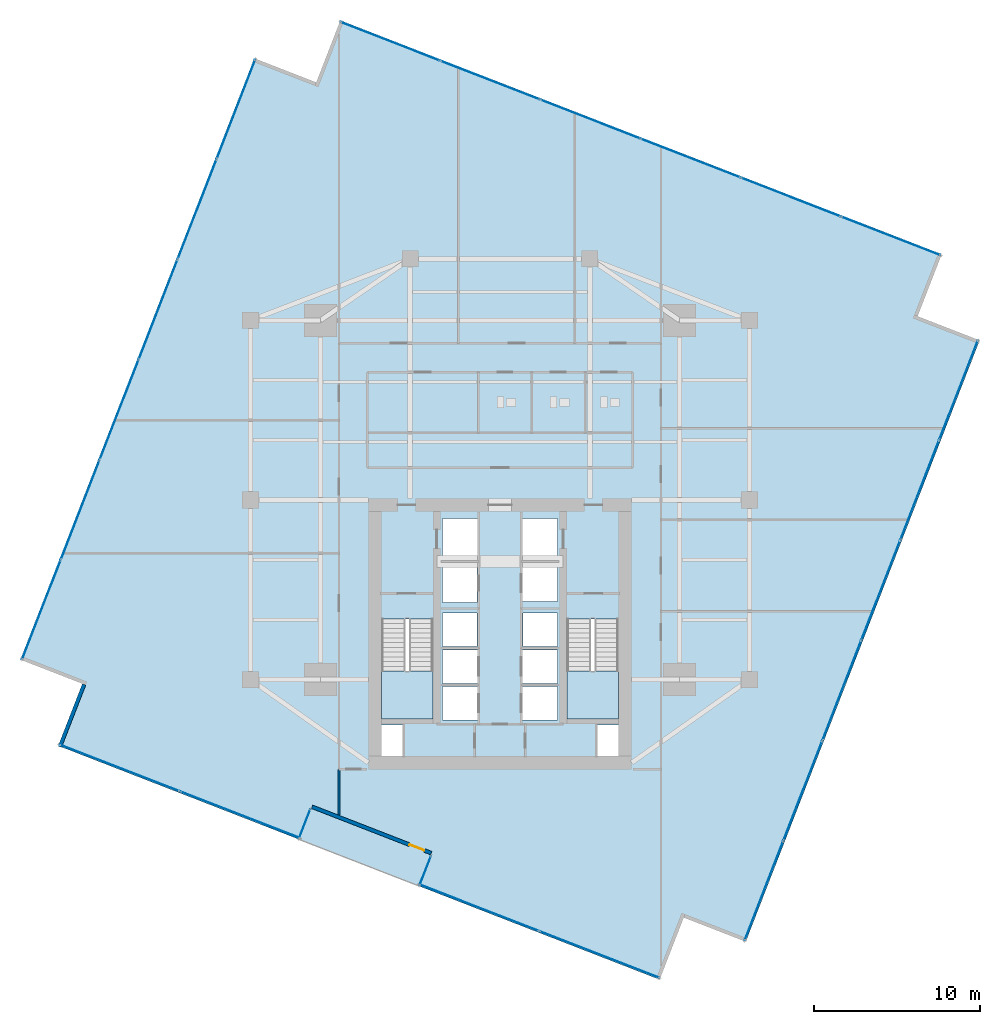
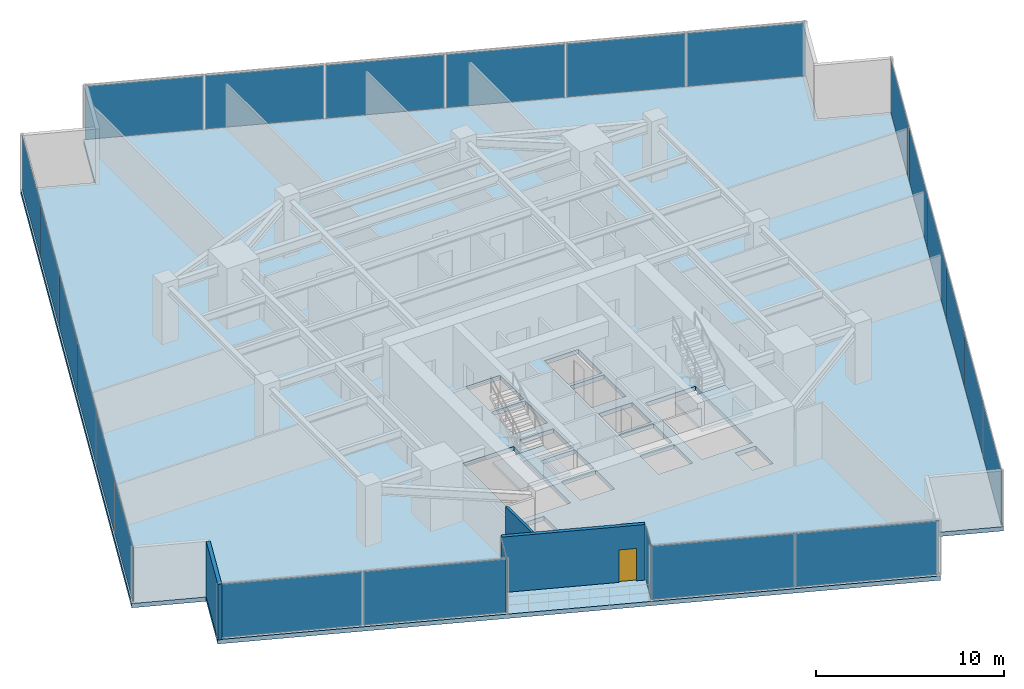
# One storey, part 21 of 26: 24 plates, 3 slabs, 3 walls, 1 door, 1 opening, 9 elements without a shape of their own.
"""IFC4 building model written with IfcOpenShell, lengths in metres."""

import ifcopenshell
import ifcopenshell.guid

model = None  # the IFC model being written
_history = None  # IfcOwnerHistory: only IFC2X3 demands one
_inside = {}  # id of a spatial element -> (the spatial element, [elements in it])
_under = {}  # id of a project, library or spatial element -> (it, [spatial elements below it])
_declared = {}  # id of a project -> (the project, [libraries it declares])
_typed = {}  # id of a type object -> (the type object, [elements of that type])
_made_of = {}  # id of a material, layer set ... -> (it, [elements and type objects made of it])


def new_model(schema):
    """Start an empty IFC model of exactly this schema.

    Asked for "IFC4X3", IfcOpenShell would pick the latest addendum, in which some entities
    have other attributes; the version numbers below select the first issue.
    IFC2X3 requires an IfcOwnerHistory on every rooted entity: one is made here for all.
    """
    global model, _history
    if schema == "IFC4X3":
        model = ifcopenshell.file(schema_version=(4, 3, 0, 0))
    else:
        model = ifcopenshell.file(schema=schema)
    _inside.clear()
    _under.clear()
    _declared.clear()
    _typed.clear()
    _made_of.clear()
    _history = None
    if model.schema == "IFC2X3":
        org = make("IfcOrganization", Name="unknown")
        user = make(
            "IfcPersonAndOrganization",
            ThePerson=make("IfcPerson", FamilyName="unknown"),
            TheOrganization=org,
        )
        app = make(
            "IfcApplication",
            ApplicationDeveloper=org,
            Version="unknown",
            ApplicationFullName="unknown",
            ApplicationIdentifier="unknown",
        )
        _history = make(
            "IfcOwnerHistory",
            OwningUser=user,
            OwningApplication=app,
            ChangeAction="ADDED",
            CreationDate=0,
        )
    return model


def make(cls, **values):
    """One entity of the class cls with the attributes given. An attribute that is None is left unset."""
    return model.create_entity(
        cls, **{name: value for name, value in values.items() if value is not None}
    )


def rooted(cls, **values):
    """An entity with a GlobalId (a new one), such as an element, a storey or a relation."""
    return make(cls, GlobalId=ifcopenshell.guid.new(), OwnerHistory=_history, **values)


def si_unit(unit_type, name, prefix=None):
    """IfcSIUnit, for example si_unit("LENGTHUNIT", "METRE", prefix="MILLI")."""
    return make("IfcSIUnit", UnitType=unit_type, Prefix=prefix, Name=name)


def assignment(units):
    """IfcUnitAssignment: the units of a project."""
    return None if units is None else make("IfcUnitAssignment", Units=units)


def point(xyz):
    """IfcCartesianPoint."""
    return None if xyz is None else make("IfcCartesianPoint", Coordinates=xyz)


def direction(xyz):
    """IfcDirection."""
    return None if xyz is None else make("IfcDirection", DirectionRatios=xyz)


def frame(location, z_axis=None, x_axis=None):
    """IfcAxis2Placement3D, a coordinate frame: its origin and axes. An axis left out is left unset."""
    return make(
        "IfcAxis2Placement3D",
        Location=point(location),
        Axis=direction(z_axis),
        RefDirection=direction(x_axis),
    )


def frame_2d(location, x_axis=None):
    """IfcAxis2Placement2D, a coordinate frame in the plane: its origin and x axis."""
    return make(
        "IfcAxis2Placement2D", Location=point(location), RefDirection=direction(x_axis)
    )


def origin():
    """The frame at (0, 0, 0) with its axes left unset."""
    return frame((0.0, 0.0, 0.0))


def origin_2d():
    """The frame at (0, 0) in the plane with its x axis left unset."""
    return frame_2d((0.0, 0.0))


def place(relative_to, where):
    """IfcLocalPlacement: puts the frame where relative to a parent placement (None: the world)."""
    return make(
        "IfcLocalPlacement", PlacementRelTo=relative_to, RelativePlacement=where
    )


def context(
    kind, dimensions, precision=None, world=None, true_north=None, identifier=None
):
    """IfcGeometricRepresentationContext, for example the 3D "Model" context."""
    return make(
        "IfcGeometricRepresentationContext",
        ContextIdentifier=identifier,
        ContextType=kind,
        CoordinateSpaceDimension=dimensions,
        Precision=precision,
        WorldCoordinateSystem=world,
        TrueNorth=true_north,
    )


def subcontext(parent, identifier, kind, view, scale=None):
    """IfcGeometricRepresentationSubContext, for example "Body" below "Model"."""
    return make(
        "IfcGeometricRepresentationSubContext",
        ContextIdentifier=identifier,
        ContextType=kind,
        ParentContext=parent,
        TargetScale=scale,
        TargetView=view,
    )


def project(units=None, contexts=None):
    """IfcProject with its units and contexts."""
    return rooted(
        "IfcProject",
        Name="project",
        RepresentationContexts=contexts,
        UnitsInContext=assignment(units),
    )


def spatial(cls, under=None, at=None, **own):
    """A site, building, storey or space (cls), placed at a placement, below another one or the project."""
    s = rooted(cls, ObjectPlacement=at, **own)
    if under is not None:
        _under.setdefault(under.id(), (under, []))[1].append(s)
    return s


def polyline(points):
    """IfcPolyline through the points."""
    return make("IfcPolyline", Points=[point(p) for p in points])


def profile(cls, at=None, kind="AREA", **sizes):
    """A parametric profile (cls). Its sizes go by their IFC names, for example OverallWidth=200.0."""
    return make(cls, ProfileType=kind, Position=at, **sizes)


def rectangle(**sizes):
    """IfcRectangleProfileDef."""
    return profile("IfcRectangleProfileDef", **sizes)


def outline(outer, holes=None, kind="AREA"):
    """IfcArbitraryClosedProfileDef: a profile drawn as a closed curve; with holes, ...WithVoids."""
    if holes is None:
        return make("IfcArbitraryClosedProfileDef", ProfileType=kind, OuterCurve=outer)
    return make(
        "IfcArbitraryProfileDefWithVoids",
        ProfileType=kind,
        OuterCurve=outer,
        InnerCurves=holes,
    )


def extrude(swept, where, along, depth):
    """IfcExtrudedAreaSolid: the profile swept, set in the frame where, extruded along a direction by depth."""
    return make(
        "IfcExtrudedAreaSolid",
        SweptArea=swept,
        Position=where,
        ExtrudedDirection=direction(along),
        Depth=depth,
    )


def shape(context_of_items, identifier, shape_type, items):
    """IfcShapeRepresentation: the items that make up one representation, for example the "Body"."""
    return make(
        "IfcShapeRepresentation",
        ContextOfItems=context_of_items,
        RepresentationIdentifier=identifier,
        RepresentationType=shape_type,
        Items=items,
    )


def source(mapping_origin, context_of_items, identifier, shape_type, items):
    """IfcRepresentationMap: a shape defined once, which mapped items show again and again."""
    return make(
        "IfcRepresentationMap",
        MappingOrigin=mapping_origin,
        MappedRepresentation=shape(context_of_items, identifier, shape_type, items),
    )


def transform(
    local_origin,
    x_axis=None,
    y_axis=None,
    z_axis=None,
    scale=None,
    scale2=None,
    scale3=None,
    uniform=True,
):
    """IfcCartesianTransformationOperator3D, or its non-uniform kind. x_axis, y_axis, z_axis: its Axis1, 2, 3."""
    if uniform:
        return make(
            "IfcCartesianTransformationOperator3D",
            Axis1=direction(x_axis),
            Axis2=direction(y_axis),
            LocalOrigin=point(local_origin),
            Scale=scale,
            Axis3=direction(z_axis),
        )
    return make(
        "IfcCartesianTransformationOperator3DnonUniform",
        Axis1=direction(x_axis),
        Axis2=direction(y_axis),
        LocalOrigin=point(local_origin),
        Scale=scale,
        Axis3=direction(z_axis),
        Scale2=scale2,
        Scale3=scale3,
    )


def mapped(mapping_source, mapping_target):
    """IfcMappedItem: shows the shape of a source again, moved by a transform."""
    return make(
        "IfcMappedItem", MappingSource=mapping_source, MappingTarget=mapping_target
    )


def material(Name=None, Category=None):
    """IfcMaterial."""
    return make("IfcMaterial", Name=Name, Category=Category)


def layer(
    of_material, thickness, ventilated=None, Name=None, Category=None, Priority=None
):
    """IfcMaterialLayer: one layer of a wall or slab, of a material (None: an air gap)."""
    return make(
        "IfcMaterialLayer",
        Material=of_material,
        LayerThickness=thickness,
        IsVentilated=ventilated,
        Name=Name,
        Category=Category,
        Priority=Priority,
    )


def layer_set(layers, Name=None):
    """IfcMaterialLayerSet."""
    return make("IfcMaterialLayerSet", MaterialLayers=layers, LayerSetName=Name)


def made_of(thing, what):
    """Note that an element or type object is made of a material, layer set ...; save() writes the relation."""
    if what is not None:
        _made_of.setdefault(what.id(), (what, []))[1].append(thing)
    return thing


def type_object(cls, material=None, **own):
    """A type object (cls), such as IfcWallType, which elements share."""
    return made_of(rooted(cls, **own), material)


def type_shapes(of_type, sources):
    """Give a type object the sources (RepresentationMaps) that its elements show as mapped items."""
    of_type.RepresentationMaps = sources


def element(
    cls,
    number,
    at=None,
    inside=None,
    cuts=None,
    type_object=None,
    material=None,
    context=None,
    identifier="Body",
    shape_type=None,
    held_by="IfcProductDefinitionShape",
    body=None,
    shapes=None,
    **own,
):
    """One element of the class cls, such as IfcWall. Its Tag is "e" and its number.

    at: its placement. inside: the storey or other place that contains it. cuts: it is an
    opening in that element (IfcRelVoidsElement). A single representation is given by context,
    identifier, shape_type and body (its items); several are given by shapes. held_by: the class
    of the entity that holds the representations. save() writes the other relations.
    """
    e = rooted(cls, Tag="e%d" % number, ObjectPlacement=at, **own)
    if body is not None:
        shapes = [shape(context, identifier, shape_type, body)]
    if shapes is not None:
        e.Representation = make(held_by, Representations=shapes)
    if inside is not None:
        _inside.setdefault(inside.id(), (inside, []))[1].append(e)
    if cuts is not None:
        rooted(
            "IfcRelVoidsElement", RelatingBuildingElement=cuts, RelatedOpeningElement=e
        )
    if type_object is not None:
        _typed.setdefault(type_object.id(), (type_object, []))[1].append(e)
    return made_of(e, material)


def fill(opening, filler):
    """IfcRelFillsElement: the door or window that sits in an opening."""
    return rooted(
        "IfcRelFillsElement",
        RelatingOpeningElement=opening,
        RelatedBuildingElement=filler,
    )


def aggregate(whole, parts):
    """IfcRelAggregates: a whole, such as a stair, and the parts it consists of."""
    return rooted("IfcRelAggregates", RelatingObject=whole, RelatedObjects=parts)


def save(model, path):
    """Write the relations noted so far, then the file.

    IfcRelAggregates (storeys below a building ...), IfcRelContainedInSpatialStructure (elements
    in a storey), IfcRelDefinesByType, IfcRelAssociatesMaterial and IfcRelDeclares: one each for
    every whole, place, type object, material and project.
    """
    for whole, parts in _under.values():
        aggregate(whole, parts)
    for where, things in _inside.values():
        rooted(
            "IfcRelContainedInSpatialStructure",
            RelatedElements=things,
            RelatingStructure=where,
        )
    for kind, things in _typed.values():
        rooted("IfcRelDefinesByType", RelatedObjects=things, RelatingType=kind)
    for what, things in _made_of.values():
        rooted("IfcRelAssociatesMaterial", RelatedObjects=things, RelatingMaterial=what)
    for by, libraries in _declared.values():
        rooted("IfcRelDeclares", RelatingContext=by, RelatedDefinitions=libraries)
    model.write(path)


model = new_model("IFC4")

# Units and contexts
model_context = context("Model", 3, precision=1e-05, world=origin(), true_north=direction((0.0, 1.0)))
body_context = subcontext(model_context, "Body", "Model", "MODEL_VIEW")
ifc_project = project(units=[si_unit("LENGTHUNIT", "METRE"), si_unit("AREAUNIT", "SQUARE_METRE"), si_unit("VOLUMEUNIT", "CUBIC_METRE"), si_unit("PLANEANGLEUNIT", "RADIAN"), si_unit("MASSUNIT", "GRAM", prefix="KILO")], contexts=[model_context])

# Site, building, storey
site_placement = place(None, origin())
site = spatial("IfcSite", under=ifc_project, at=site_placement, CompositionType="ELEMENT")
building_placement = place(site_placement, origin())
building = spatial("IfcBuilding", under=site, at=building_placement, Name="Krantzveldt Concourse Tower", CompositionType="ELEMENT")
storey_placement = place(building_placement, frame((0.0, 0.0, 137.449951171875)))
storey = spatial("IfcBuildingStorey", under=building, at=storey_placement, Name="L33", CompositionType="ELEMENT", Elevation=137.449951171875)

# Stair, slab
ifc_material_1 = material(Name="Precast concrete C40/50", Category="concrete")
stair_type = type_object("IfcStairType", Name="STR-CORE-DOGLEG", PredefinedType="HALF_TURN_STAIR", material=ifc_material_1)
stair_1_placement = place(storey_placement, origin())
stair_1 = element("IfcStair", 1, at=stair_1_placement, inside=storey, type_object=stair_type, Name="L33 Protected Escape Stair ST-1", PredefinedType="HALF_TURN_STAIR")
ifc_layer_1 = layer(ifc_material_1, 0.199951171875, Name="Precast concrete C40/50", Category="concrete")
ifc_layer_set_1 = layer_set([ifc_layer_1], Name="Precast concrete C40/50 (SL-LANDING-200)")
slab_type_1 = type_object("IfcSlabType", Name="SL-LANDING-200", PredefinedType="LANDING", material=ifc_layer_set_1)
slab_1_placement = place(storey_placement, frame((0.0, 0.0, 1.775146484375)))
slab_1 = element("IfcSlab", 2, at=slab_1_placement, type_object=slab_type_1, Name="ST-1 landing 1", PredefinedType="LANDING", context=body_context, shape_type="SweptSolid", body=[
    extrude(outline(polyline([(28.8798828125, 16.4150390625), (28.8798828125, 13.52001953125), (31.97998046875, 13.52001953125), (31.97998046875, 16.4150390625), (28.8798828125, 16.4150390625)])), origin(), (0.0, 0.0, 1.0), 0.199951171875),
])
aggregate(stair_1, [slab_1])

stair_2_placement = place(storey_placement, origin())
stair_2 = element("IfcStair", 3, at=stair_2_placement, inside=storey, type_object=stair_type, Name="L33 Protected Escape Stair ST-2", PredefinedType="HALF_TURN_STAIR")
slab_2_placement = place(storey_placement, frame((0.0, 0.0, 1.775146484375)))
slab_2 = element("IfcSlab", 4, at=slab_2_placement, type_object=slab_type_1, Name="ST-2 landing 1", PredefinedType="LANDING", context=body_context, shape_type="SweptSolid", body=[
    extrude(outline(polyline([(40.02001953125, 16.4150390625), (40.02001953125, 13.52001953125), (43.1201171875, 13.52001953125), (43.1201171875, 16.4150390625), (40.02001953125, 16.4150390625)])), origin(), (0.0, 0.0, 1.0), 0.199951171875),
])
aggregate(stair_2, [slab_2])

# Slab
ifc_material_2 = material(Name="Concrete C40/50", Category="concrete")
ifc_layer_2 = layer(ifc_material_2, 0.280029296875, Name="Concrete C40/50", Category="concrete")
ifc_layer_set_2 = layer_set([ifc_layer_2], Name="Concrete C40/50 (SL-SL-TER280)")
slab_type_2 = type_object("IfcSlabType", Name="SL-SL-TER280", PredefinedType="FLOOR", material=ifc_layer_set_2)
slab_3_placement = place(storey_placement, frame((0.0, 0.0, -0.280029296875)))
element("IfcSlab", 5, at=slab_3_placement, inside=storey, type_object=slab_type_2, Name="SL-L33-MAIN", PredefinedType="FLOOR", context=body_context, shape_type="SweptSolid", body=[
    extrude(outline(polyline([(24.950439453125, 51.812255859375), (21.222412109375, 53.261962890625), (7.15966796875, 17.10009765625), (10.8876953125, 15.650390625), (9.43798828125, 11.92236328125), (45.599853515625, -2.140380859375), (47.049560546875, 1.587646484375), (50.777587890625, 0.137939453125), (64.84033203125, 36.2998046875), (61.1123046875, 37.749755859375), (62.56201171875, 41.477783203125), (26.400146484375, 55.540283203125), (24.950439453125, 51.812255859375)]), holes=[polyline([(28.8798828125, 19.547607421875), (28.8798828125, 13.52001953125), (31.97998046875, 13.52001953125), (31.97998046875, 19.547607421875), (28.8798828125, 19.547607421875)]), polyline([(40.02001953125, 19.547607421875), (40.02001953125, 13.52001953125), (43.1201171875, 13.52001953125), (43.1201171875, 19.547607421875), (40.02001953125, 19.547607421875)]), polyline([(32.550048828125, 23.10009765625), (34.64990234375, 23.10009765625), (34.64990234375, 25.60009765625), (32.550048828125, 25.60009765625), (32.550048828125, 23.10009765625)]), polyline([(37.35009765625, 23.10009765625), (39.449951171875, 23.10009765625), (39.449951171875, 25.60009765625), (37.35009765625, 25.60009765625), (37.35009765625, 23.10009765625)]), polyline([(37.35009765625, 20.60009765625), (39.449951171875, 20.60009765625), (39.449951171875, 22.89990234375), (37.35009765625, 22.89990234375), (37.35009765625, 20.60009765625)]), polyline([(32.550048828125, 13.47998046875), (34.64990234375, 13.47998046875), (34.64990234375, 15.47998046875), (32.550048828125, 15.47998046875), (32.550048828125, 13.47998046875)]), polyline([(32.550048828125, 15.679931640625), (34.64990234375, 15.679931640625), (34.64990234375, 17.679931640625), (32.550048828125, 17.679931640625), (32.550048828125, 15.679931640625)]), polyline([(37.35009765625, 13.47998046875), (39.449951171875, 13.47998046875), (39.449951171875, 15.47998046875), (37.35009765625, 15.47998046875), (37.35009765625, 13.47998046875)]), polyline([(37.35009765625, 15.679931640625), (39.449951171875, 15.679931640625), (39.449951171875, 17.679931640625), (37.35009765625, 17.679931640625), (37.35009765625, 15.679931640625)]), polyline([(32.550048828125, 20.550048828125), (34.6201171875, 20.550048828125), (34.6201171875, 22.89990234375), (32.550048828125, 22.89990234375), (32.550048828125, 20.550048828125)]), polyline([(32.550048828125, 17.8798828125), (34.6201171875, 17.8798828125), (34.6201171875, 19.919921875), (32.550048828125, 19.919921875), (32.550048828125, 17.8798828125)]), polyline([(37.3798828125, 17.8798828125), (39.449951171875, 17.8798828125), (39.449951171875, 19.919921875), (37.3798828125, 19.919921875), (37.3798828125, 17.8798828125)]), polyline([(28.8798828125, 11.320068359375), (30.139892578125, 11.320068359375), (30.139892578125, 13.159912109375), (28.8798828125, 13.159912109375), (28.8798828125, 11.320068359375)]), polyline([(41.860107421875, 11.320068359375), (43.1201171875, 11.320068359375), (43.1201171875, 13.159912109375), (41.860107421875, 13.159912109375), (41.860107421875, 11.320068359375)])]), origin(), (0.0, 0.0, 1.0), 0.280029296875),
])

# Curtain wall, plates
ifc_material_3 = material(Name="Anodised aluminium 6063-T6", Category="aluminium")
curtain_wall_type_1 = type_object("IfcCurtainWallType", Name="CW2", PredefinedType="USERDEFINED", material=ifc_material_3)
curtain_wall_1_placement = place(storey_placement, origin())
curtain_wall_1 = element("IfcCurtainWall", 6, at=curtain_wall_1_placement, inside=storey, type_object=curtain_wall_type_1, Name="CW-L33-F01", ObjectType="UNITISED CURTAIN WALL", PredefinedType="USERDEFINED")
ifc_material_4 = material(Name="Bronze-tinted laminated low-E IGU glass", Category="glass")
ifc_layer_3 = layer(ifc_material_4, 0.031982421875, Name="Bronze-tinted laminated low-E IGU glass", Category="glass")
ifc_layer_set_3 = layer_set([ifc_layer_3], Name="Bronze-tinted laminated low-E IGU glass (CW-GLZ-32)")
plate_type = type_object("IfcPlateType", Name="CW-GLZ-32", PredefinedType="CURTAIN_PANEL", material=ifc_layer_set_3)
shared_shape_1 = source(origin(), body_context, "Body", "SweptSolid", [
    extrude(rectangle(XDim=6.361572265625, YDim=0.031982421875, at=origin_2d()), origin(), (0.0, 0.0, 1.0), 3.4599609375),
])
plate_1_placement = place(storey_placement, frame((20.1279296875, 50.199462890625, 0.070068359375), z_axis=(0.0, 0.0, 1.0), x_axis=(-0.362437952917, -0.93200790248, 0.0)))
plate_1 = element("IfcPlate", 7, at=plate_1_placement, type_object=plate_type, Name="CW-Z12 panel 1.1", PredefinedType="CURTAIN_PANEL", context=body_context, shape_type="MappedRepresentation", body=[
    mapped(shared_shape_1, transform((0.0, 0.0, 0.0), x_axis=(1.0, 0.0, 0.0), y_axis=(0.0, 1.0, 0.0), z_axis=(0.0, 0.0, 1.0), scale=1.0)),
])
plate_2_placement = place(storey_placement, frame((8.421875, 20.09716796875, 0.070068359375), z_axis=(0.0, 0.0, 1.0), x_axis=(-0.362437952917, -0.93200790248, 0.0)))
plate_2 = element("IfcPlate", 8, at=plate_2_placement, type_object=plate_type, Name="CW-Z12 panel 6.1", PredefinedType="CURTAIN_PANEL", context=body_context, shape_type="MappedRepresentation", body=[
    mapped(shared_shape_1, transform((0.0, 0.0, 0.0), x_axis=(1.0, 0.0, 0.0), y_axis=(0.0, 1.0, 0.0), z_axis=(0.0, 0.0, 1.0), scale=1.0)),
])

curtain_wall_2_placement = place(storey_placement, origin())
curtain_wall_2 = element("IfcCurtainWall", 9, at=curtain_wall_2_placement, inside=storey, type_object=curtain_wall_type_1, Name="CW-L33-F11", ObjectType="UNITISED CURTAIN WALL", PredefinedType="USERDEFINED")
plate_3_placement = place(storey_placement, frame((51.8720703125, 3.200439453125, 0.070068359375), z_axis=(0.0, 0.0, 1.0), x_axis=(0.362437952917, 0.93200790248, 0.0)))
plate_3 = element("IfcPlate", 10, at=plate_3_placement, type_object=plate_type, Name="CW-Z12 panel 1.1", PredefinedType="CURTAIN_PANEL", context=body_context, shape_type="MappedRepresentation", body=[
    mapped(shared_shape_1, transform((0.0, 0.0, 0.0), x_axis=(1.0, 0.0, 0.0), y_axis=(0.0, 1.0, 0.0), z_axis=(0.0, 0.0, 1.0), scale=1.0)),
])
plate_4_placement = place(storey_placement, frame((63.578125, 33.302734375, 0.070068359375), z_axis=(0.0, 0.0, 1.0), x_axis=(0.362437952917, 0.93200790248, 0.0)))
plate_4 = element("IfcPlate", 11, at=plate_4_placement, type_object=plate_type, Name="CW-Z12 panel 6.1", PredefinedType="CURTAIN_PANEL", context=body_context, shape_type="MappedRepresentation", body=[
    mapped(shared_shape_1, transform((0.0, 0.0, 0.0), x_axis=(1.0, 0.0, 0.0), y_axis=(0.0, 1.0, 0.0), z_axis=(0.0, 0.0, 1.0), scale=1.0)),
])

curtain_wall_3_placement = place(storey_placement, origin())
curtain_wall_3 = element("IfcCurtainWall", 12, at=curtain_wall_3_placement, inside=storey, type_object=curtain_wall_type_1, Name="CW-L33-F14", ObjectType="UNITISED CURTAIN WALL", PredefinedType="USERDEFINED")
plate_5_placement = place(storey_placement, frame((59.49951171875, 42.572021484375, 0.070068359375), z_axis=(0.0, 0.0, 1.0), x_axis=(-0.93200790248, 0.362437952917, 0.0)))
plate_5 = element("IfcPlate", 13, at=plate_5_placement, type_object=plate_type, Name="CW-Z12 panel 1.1", PredefinedType="CURTAIN_PANEL", context=body_context, shape_type="MappedRepresentation", body=[
    mapped(shared_shape_1, transform((0.0, 0.0, 0.0), x_axis=(1.0, 0.0, 0.0), y_axis=(0.0, 1.0, 0.0), z_axis=(0.0, 0.0, 1.0), scale=1.0)),
])
plate_6_placement = place(storey_placement, frame((29.397216796875, 54.278076171875, 0.070068359375), z_axis=(0.0, 0.0, 1.0), x_axis=(-0.93200790248, 0.362437952917, 0.0)))
plate_6 = element("IfcPlate", 14, at=plate_6_placement, type_object=plate_type, Name="CW-Z12 panel 6.1", PredefinedType="CURTAIN_PANEL", context=body_context, shape_type="MappedRepresentation", body=[
    mapped(shared_shape_1, transform((0.0, 0.0, 0.0), x_axis=(1.0, 0.0, 0.0), y_axis=(0.0, 1.0, 0.0), z_axis=(0.0, 0.0, 1.0), scale=1.0)),
])

# Plate
shared_shape_2 = source(origin(), body_context, "Body", "SweptSolid", [
    extrude(rectangle(XDim=6.396728515625, YDim=0.031982421875, at=origin_2d()), origin(), (0.0, 0.0, 1.0), 3.4599609375),
])
plate_7_placement = place(storey_placement, frame((17.79052734375, 44.18896484375, 0.070068359375), z_axis=(0.0, 0.0, 1.0), x_axis=(-0.362437952917, -0.93200790248, 0.0)))
plate_7 = element("IfcPlate", 15, at=plate_7_placement, type_object=plate_type, Name="CW-Z12 panel 2.1", PredefinedType="CURTAIN_PANEL", context=body_context, shape_type="MappedRepresentation", body=[
    mapped(shared_shape_2, transform((0.0, 0.0, 0.0), x_axis=(1.0, 0.0, 0.0), y_axis=(0.0, 1.0, 0.0), z_axis=(0.0, 0.0, 1.0), scale=1.0)),
])

plate_8_placement = place(storey_placement, frame((15.44677734375, 38.161865234375, 0.070068359375), z_axis=(0.0, 0.0, 1.0), x_axis=(-0.362437952917, -0.93200790248, 0.0)))
plate_8 = element("IfcPlate", 16, at=plate_8_placement, type_object=plate_type, Name="CW-Z12 panel 3.1", PredefinedType="CURTAIN_PANEL", context=body_context, shape_type="MappedRepresentation", body=[
    mapped(shared_shape_2, transform((0.0, 0.0, 0.0), x_axis=(1.0, 0.0, 0.0), y_axis=(0.0, 1.0, 0.0), z_axis=(0.0, 0.0, 1.0), scale=1.0)),
])

plate_9_placement = place(storey_placement, frame((13.10302734375, 32.135009765625, 0.070068359375), z_axis=(0.0, 0.0, 1.0), x_axis=(-0.362437952917, -0.93200790248, 0.0)))
plate_9 = element("IfcPlate", 17, at=plate_9_placement, type_object=plate_type, Name="CW-Z12 panel 4.1", PredefinedType="CURTAIN_PANEL", context=body_context, shape_type="MappedRepresentation", body=[
    mapped(shared_shape_2, transform((0.0, 0.0, 0.0), x_axis=(1.0, 0.0, 0.0), y_axis=(0.0, 1.0, 0.0), z_axis=(0.0, 0.0, 1.0), scale=1.0)),
])

plate_10_placement = place(storey_placement, frame((10.75927734375, 26.10791015625, 0.070068359375), z_axis=(0.0, 0.0, 1.0), x_axis=(-0.362437952917, -0.93200790248, 0.0)))
plate_10 = element("IfcPlate", 18, at=plate_10_placement, type_object=plate_type, Name="CW-Z12 panel 5.1", PredefinedType="CURTAIN_PANEL", context=body_context, shape_type="MappedRepresentation", body=[
    mapped(shared_shape_2, transform((0.0, 0.0, 0.0), x_axis=(1.0, 0.0, 0.0), y_axis=(0.0, 1.0, 0.0), z_axis=(0.0, 0.0, 1.0), scale=1.0)),
])

aggregate(curtain_wall_1, [plate_1, plate_7, plate_8, plate_9, plate_10, plate_2])

plate_11_placement = place(storey_placement, frame((54.20947265625, 9.211181640625, 0.070068359375), z_axis=(0.0, 0.0, 1.0), x_axis=(0.362437952917, 0.93200790248, 0.0)))
plate_11 = element("IfcPlate", 19, at=plate_11_placement, type_object=plate_type, Name="CW-Z12 panel 2.1", PredefinedType="CURTAIN_PANEL", context=body_context, shape_type="MappedRepresentation", body=[
    mapped(shared_shape_2, transform((0.0, 0.0, 0.0), x_axis=(1.0, 0.0, 0.0), y_axis=(0.0, 1.0, 0.0), z_axis=(0.0, 0.0, 1.0), scale=1.0)),
])

plate_12_placement = place(storey_placement, frame((56.55322265625, 15.238037109375, 0.070068359375), z_axis=(0.0, 0.0, 1.0), x_axis=(0.362437952917, 0.93200790248, 0.0)))
plate_12 = element("IfcPlate", 20, at=plate_12_placement, type_object=plate_type, Name="CW-Z12 panel 3.1", PredefinedType="CURTAIN_PANEL", context=body_context, shape_type="MappedRepresentation", body=[
    mapped(shared_shape_2, transform((0.0, 0.0, 0.0), x_axis=(1.0, 0.0, 0.0), y_axis=(0.0, 1.0, 0.0), z_axis=(0.0, 0.0, 1.0), scale=1.0)),
])

plate_13_placement = place(storey_placement, frame((58.89697265625, 21.26513671875, 0.070068359375), z_axis=(0.0, 0.0, 1.0), x_axis=(0.362437952917, 0.93200790248, 0.0)))
plate_13 = element("IfcPlate", 21, at=plate_13_placement, type_object=plate_type, Name="CW-Z12 panel 4.1", PredefinedType="CURTAIN_PANEL", context=body_context, shape_type="MappedRepresentation", body=[
    mapped(shared_shape_2, transform((0.0, 0.0, 0.0), x_axis=(1.0, 0.0, 0.0), y_axis=(0.0, 1.0, 0.0), z_axis=(0.0, 0.0, 1.0), scale=1.0)),
])

plate_14_placement = place(storey_placement, frame((61.24072265625, 27.2919921875, 0.070068359375), z_axis=(0.0, 0.0, 1.0), x_axis=(0.362437952917, 0.93200790248, 0.0)))
plate_14 = element("IfcPlate", 22, at=plate_14_placement, type_object=plate_type, Name="CW-Z12 panel 5.1", PredefinedType="CURTAIN_PANEL", context=body_context, shape_type="MappedRepresentation", body=[
    mapped(shared_shape_2, transform((0.0, 0.0, 0.0), x_axis=(1.0, 0.0, 0.0), y_axis=(0.0, 1.0, 0.0), z_axis=(0.0, 0.0, 1.0), scale=1.0)),
])

aggregate(curtain_wall_2, [plate_3, plate_11, plate_12, plate_13, plate_14, plate_4])

plate_15_placement = place(storey_placement, frame((53.489013671875, 44.909423828125, 0.070068359375), z_axis=(0.0, 0.0, 1.0), x_axis=(-0.93200790248, 0.362437952917, 0.0)))
plate_15 = element("IfcPlate", 23, at=plate_15_placement, type_object=plate_type, Name="CW-Z12 panel 2.1", PredefinedType="CURTAIN_PANEL", context=body_context, shape_type="MappedRepresentation", body=[
    mapped(shared_shape_2, transform((0.0, 0.0, 0.0), x_axis=(1.0, 0.0, 0.0), y_axis=(0.0, 1.0, 0.0), z_axis=(0.0, 0.0, 1.0), scale=1.0)),
])

plate_16_placement = place(storey_placement, frame((47.4619140625, 47.253173828125, 0.070068359375), z_axis=(0.0, 0.0, 1.0), x_axis=(-0.93200790248, 0.362437952917, 0.0)))
plate_16 = element("IfcPlate", 24, at=plate_16_placement, type_object=plate_type, Name="CW-Z12 panel 3.1", PredefinedType="CURTAIN_PANEL", context=body_context, shape_type="MappedRepresentation", body=[
    mapped(shared_shape_2, transform((0.0, 0.0, 0.0), x_axis=(1.0, 0.0, 0.0), y_axis=(0.0, 1.0, 0.0), z_axis=(0.0, 0.0, 1.0), scale=1.0)),
])

plate_17_placement = place(storey_placement, frame((41.43505859375, 49.596923828125, 0.070068359375), z_axis=(0.0, 0.0, 1.0), x_axis=(-0.93200790248, 0.362437952917, 0.0)))
plate_17 = element("IfcPlate", 25, at=plate_17_placement, type_object=plate_type, Name="CW-Z12 panel 4.1", PredefinedType="CURTAIN_PANEL", context=body_context, shape_type="MappedRepresentation", body=[
    mapped(shared_shape_2, transform((0.0, 0.0, 0.0), x_axis=(1.0, 0.0, 0.0), y_axis=(0.0, 1.0, 0.0), z_axis=(0.0, 0.0, 1.0), scale=1.0)),
])

plate_18_placement = place(storey_placement, frame((35.407958984375, 51.940673828125, 0.070068359375), z_axis=(0.0, 0.0, 1.0), x_axis=(-0.93200790248, 0.362437952917, 0.0)))
plate_18 = element("IfcPlate", 26, at=plate_18_placement, type_object=plate_type, Name="CW-Z12 panel 5.1", PredefinedType="CURTAIN_PANEL", context=body_context, shape_type="MappedRepresentation", body=[
    mapped(shared_shape_2, transform((0.0, 0.0, 0.0), x_axis=(1.0, 0.0, 0.0), y_axis=(0.0, 1.0, 0.0), z_axis=(0.0, 0.0, 1.0), scale=1.0)),
])

aggregate(curtain_wall_3, [plate_5, plate_15, plate_16, plate_17, plate_18, plate_6])

# Curtain wall, plates
curtain_wall_4_placement = place(storey_placement, origin())
curtain_wall_4 = element("IfcCurtainWall", 27, at=curtain_wall_4_placement, inside=storey, type_object=curtain_wall_type_1, Name="CW-L33-F04", ObjectType="UNITISED CURTAIN WALL", PredefinedType="USERDEFINED")
shared_shape_3 = source(origin(), body_context, "Body", "SweptSolid", [
    extrude(rectangle(XDim=7.695068359375, YDim=0.031982421875, at=origin_2d()), origin(), (0.0, 0.0, 1.0), 3.4599609375),
])
plate_19_placement = place(storey_placement, frame((13.121826171875, 10.58642578125, 0.070068359375), z_axis=(0.0, 0.0, 1.0), x_axis=(0.932007919598, -0.362437908899, 0.0)))
plate_19 = element("IfcPlate", 28, at=plate_19_placement, type_object=plate_type, Name="CW-Z12 panel 1.1", PredefinedType="CURTAIN_PANEL", context=body_context, shape_type="MappedRepresentation", body=[
    mapped(shared_shape_3, transform((0.0, 0.0, 0.0), x_axis=(1.0, 0.0, 0.0), y_axis=(0.0, 1.0, 0.0), z_axis=(0.0, 0.0, 1.0), scale=1.0)),
])
plate_20_placement = place(storey_placement, frame((20.35888671875, 7.77197265625, 0.070068359375), z_axis=(0.0, 0.0, 1.0), x_axis=(0.932007919598, -0.362437908899, 0.0)))
plate_20 = element("IfcPlate", 29, at=plate_20_placement, type_object=plate_type, Name="CW-Z12 panel 2.1", PredefinedType="CURTAIN_PANEL", context=body_context, shape_type="MappedRepresentation", body=[
    mapped(shared_shape_3, transform((0.0, 0.0, 0.0), x_axis=(1.0, 0.0, 0.0), y_axis=(0.0, 1.0, 0.0), z_axis=(0.0, 0.0, 1.0), scale=1.0)),
])
aggregate(curtain_wall_4, [plate_19, plate_20])

curtain_wall_5_placement = place(storey_placement, origin())
curtain_wall_5 = element("IfcCurtainWall", 30, at=curtain_wall_5_placement, inside=storey, type_object=curtain_wall_type_1, Name="CW-L33-F08", ObjectType="UNITISED CURTAIN WALL", PredefinedType="USERDEFINED")
plate_21_placement = place(storey_placement, frame((34.744384765625, 2.177734375, 0.070068359375), z_axis=(0.0, 0.0, 1.0), x_axis=(0.932007919598, -0.362437908899, 0.0)))
plate_21 = element("IfcPlate", 31, at=plate_21_placement, type_object=plate_type, Name="CW-Z12 panel 1.1", PredefinedType="CURTAIN_PANEL", context=body_context, shape_type="MappedRepresentation", body=[
    mapped(shared_shape_3, transform((0.0, 0.0, 0.0), x_axis=(1.0, 0.0, 0.0), y_axis=(0.0, 1.0, 0.0), z_axis=(0.0, 0.0, 1.0), scale=1.0)),
])
plate_22_placement = place(storey_placement, frame((41.9814453125, -0.636474609375, 0.070068359375), z_axis=(0.0, 0.0, 1.0), x_axis=(0.932007919598, -0.362437908899, 0.0)))
plate_22 = element("IfcPlate", 32, at=plate_22_placement, type_object=plate_type, Name="CW-Z12 panel 2.1", PredefinedType="CURTAIN_PANEL", context=body_context, shape_type="MappedRepresentation", body=[
    mapped(shared_shape_3, transform((0.0, 0.0, 0.0), x_axis=(1.0, 0.0, 0.0), y_axis=(0.0, 1.0, 0.0), z_axis=(0.0, 0.0, 1.0), scale=1.0)),
])
aggregate(curtain_wall_5, [plate_21, plate_22])

# Curtain wall, plate
curtain_wall_type_2 = type_object("IfcCurtainWallType", Name="CW6", PredefinedType="USERDEFINED", material=ifc_material_3)
curtain_wall_6_placement = place(storey_placement, origin())
curtain_wall_6 = element("IfcCurtainWall", 33, at=curtain_wall_6_placement, inside=storey, type_object=curtain_wall_type_2, Name="CW-L33-TR05", ObjectType="UNITISED CURTAIN WALL", PredefinedType="USERDEFINED")
shared_shape_4 = source(origin(), body_context, "Body", "SweptSolid", [
    extrude(rectangle(XDim=1.860107421875, YDim=0.031982421875, at=origin_2d()), origin(), (0.0, 0.0, 1.0), 3.4599609375),
])
type_shapes(plate_type, [shared_shape_1, shared_shape_2, shared_shape_3, shared_shape_4])
plate_23_placement = place(storey_placement, frame((24.255859375, 7.23291015625, 0.070068359375), z_axis=(0.0, 0.0, 1.0), x_axis=(0.36243902256, 0.932007486518, 0.0)))
plate_23 = element("IfcPlate", 34, at=plate_23_placement, type_object=plate_type, Name="CW-TERR panel 1.1", PredefinedType="CURTAIN_PANEL", context=body_context, shape_type="MappedRepresentation", body=[
    mapped(shared_shape_4, transform((0.0, 0.0, 0.0), x_axis=(1.0, 0.0, 0.0), y_axis=(0.0, 1.0, 0.0), z_axis=(0.0, 0.0, 1.0), scale=1.0)),
])
aggregate(curtain_wall_6, [plate_23])

curtain_wall_7_placement = place(storey_placement, origin())
curtain_wall_7 = element("IfcCurtainWall", 35, at=curtain_wall_7_placement, inside=storey, type_object=curtain_wall_type_2, Name="CW-L33-TR07", ObjectType="UNITISED CURTAIN WALL", PredefinedType="USERDEFINED")
plate_24_placement = place(storey_placement, frame((31.5068359375, 4.4130859375, 0.070068359375), z_axis=(0.0, 0.0, 1.0), x_axis=(-0.36243902256, -0.932007486518, 0.0)))
plate_24 = element("IfcPlate", 36, at=plate_24_placement, type_object=plate_type, Name="CW-TERR panel 1.1", PredefinedType="CURTAIN_PANEL", context=body_context, shape_type="MappedRepresentation", body=[
    mapped(shared_shape_4, transform((0.0, 0.0, 0.0), x_axis=(1.0, 0.0, 0.0), y_axis=(0.0, 1.0, 0.0), z_axis=(0.0, 0.0, 1.0), scale=1.0)),
])
aggregate(curtain_wall_7, [plate_24])

# Wall
ifc_layer_4 = layer(ifc_material_3, 0.219970703125, Name="Anodised aluminium 6063-T6", Category="aluminium")
ifc_layer_set_4 = layer_set([ifc_layer_4], Name="Anodised aluminium 6063-T6 (WL-EXT-NOTCH220)")
wall_type_1 = type_object("IfcWallType", Name="WL-EXT-NOTCH220", PredefinedType="ELEMENTEDWALL", material=ifc_layer_set_4)
wall_1_placement = place(storey_placement, frame((10.990234375, 15.610595703125, 0.0), z_axis=(0.0, 0.0, 1.0), x_axis=(-0.362411136527, -0.932018330357, 0.0)))
element("IfcWall", 37, at=wall_1_placement, inside=storey, type_object=wall_type_1, Name="EW-L33-NCH03", PredefinedType="ELEMENTEDWALL", context=body_context, shape_type="SweptSolid", body=[
    extrude(rectangle(XDim=4.025146484375, YDim=0.219970703125, at=frame_2d((2.0126953125, 0.0))), origin(), (0.0, 0.0, 1.0), 3.60009765625),
])

# Wall, opening, door
wall_2_placement = place(storey_placement, frame((31.8671875, 5.4638671875, 0.0), z_axis=(0.0, 0.0, 1.0), x_axis=(-0.931996329979, 0.362467710157, 0.0)))
wall_2 = element("IfcWall", 38, at=wall_2_placement, inside=storey, type_object=wall_type_1, Name="EW-L33-TSLOT", PredefinedType="ELEMENTEDWALL", context=body_context, shape_type="SweptSolid", body=[
    extrude(rectangle(XDim=7.68994140625, YDim=0.219970703125, at=frame_2d((3.844970703125, 0.0))), origin(), (0.0, 0.0, 1.0), 3.60009765625),
])
opening_placement = place(wall_2_placement, frame((0.449951171875, 0.0, 0.0)))
opening = element("IfcOpeningElement", 39, at=opening_placement, cuts=wall_2, Name="Opening D-EX95", PredefinedType="OPENING", context=body_context, shape_type="SweptSolid", body=[
    extrude(rectangle(XDim=0.949951171875, YDim=2.10009765625, at=frame_2d((0.47509765625, 1.050048828125))), frame((0.0, 0.1201171875, 0.0), z_axis=(0.0, -1.0, 0.0), x_axis=(1.0, 0.0, 0.0)), (0.0, 0.0, 1.0), 0.239990234375),
])
door_type = type_object("IfcDoorType", Name="DR-EXT-950", OperationType="SINGLE_SWING_LEFT", PredefinedType="DOOR", material=ifc_material_3)
door_placement = place(opening_placement, origin())
door = element("IfcDoor", 40, at=door_placement, inside=storey, type_object=door_type, Name="DR-L33-TERR", OperationType="SINGLE_SWING_LEFT", OverallHeight=2.10009765625, OverallWidth=0.949951171875, PredefinedType="DOOR", context=body_context, shape_type="SweptSolid", body=[
    extrude(rectangle(XDim=0.949951171875, YDim=2.10009765625, at=frame_2d((0.47509765625, 1.050048828125))), frame((0.0, 0.02490234375, 0.0), z_axis=(0.0, -1.0, 0.0), x_axis=(1.0, 0.0, 0.0)), (0.0, 0.0, 1.0), 0.050048828125),
])
fill(opening, door)

# Wall
ifc_material_5 = material(Name="Fire-rated gypsum plasterboard on steel stud", Category="steel")
ifc_layer_5 = layer(ifc_material_5, 0.139892578125, Name="Fire-rated gypsum plasterboard on steel stud", Category="steel")
ifc_layer_set_5 = layer_set([ifc_layer_5], Name="Fire-rated gypsum plasterboard on steel stud (WL-PART-140)")
wall_type_2 = type_object("IfcWallType", Name="WL-PART-140", PredefinedType="PARTITIONING", material=ifc_layer_set_5)
wall_3_placement = place(storey_placement, frame((26.320068359375, 7.74462890625, 0.0), z_axis=(0.0, 0.0, 1.0), x_axis=(0.0, 1.0, 0.0)))
element("IfcWall", 41, at=wall_3_placement, inside=storey, type_object=wall_type_2, Name="WP-L33-SWL", PredefinedType="PARTITIONING", context=body_context, shape_type="SweptSolid", body=[
    extrude(rectangle(XDim=2.75537109375, YDim=0.139892578125, at=frame_2d((1.377685546875, 0.0))), origin(), (0.0, 0.0, 1.0), 3.60009765625),
])

save(model, "model.ifc")
